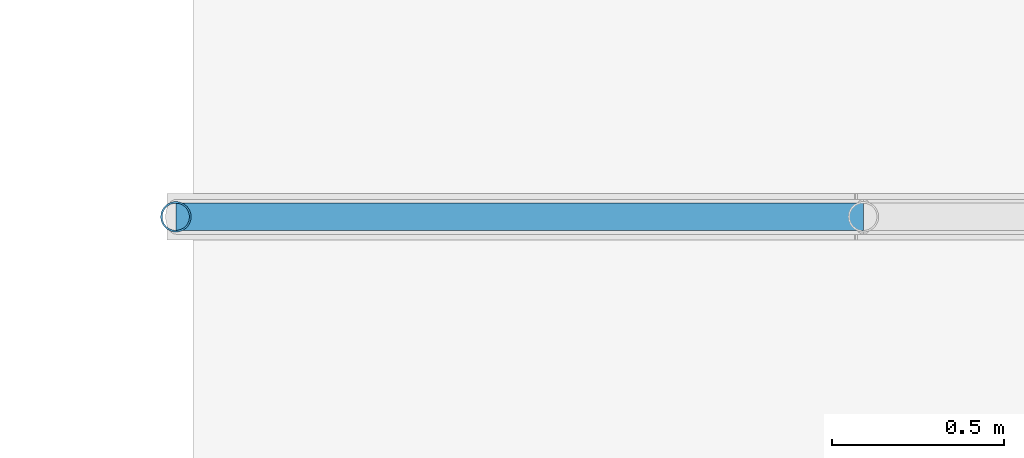
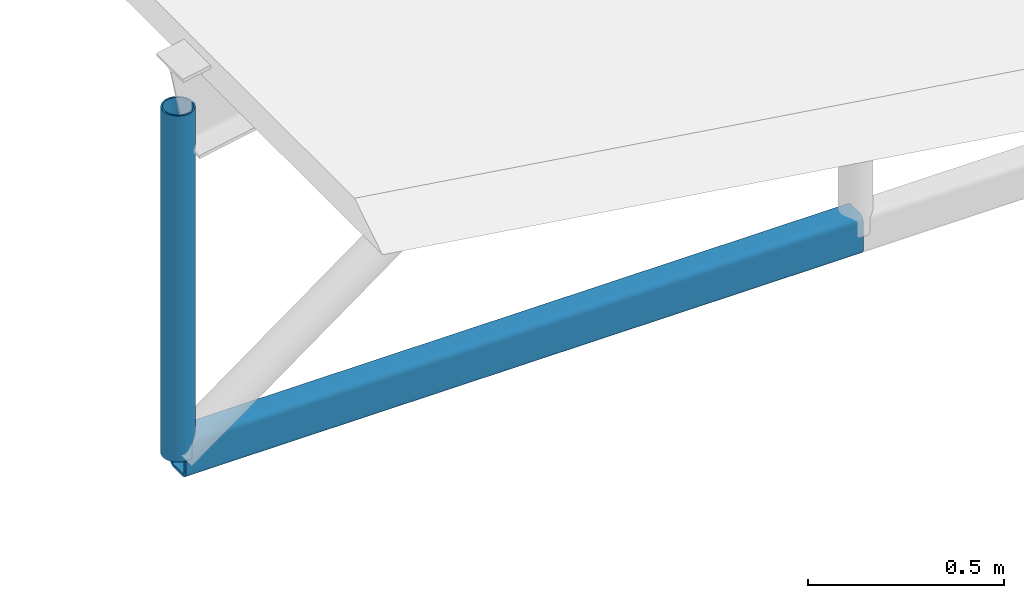
# One storey, part 19 of 54: 2 members.
"""IFC4 building model written with IfcOpenShell, lengths in metres."""

from ifc_helpers import new_model, si_unit, derived_unit, direction, frame, origin, origin_2d, place, context, subcontext, project, spatial, hollow_rectangle, hollow_circle, extrude, material, material_profile, profile_set, type_object, element, save


model = new_model("IFC4")

# Units and contexts
model_context = context("Model", 3, precision=1e-05, world=origin(), true_north=direction((0.0, 1.0)))
body_context = subcontext(model_context, "Body", "Model", "MODEL_VIEW")
ifc_project = project(units=[si_unit("LENGTHUNIT", "METRE"), si_unit("AREAUNIT", "SQUARE_METRE"), si_unit("VOLUMEUNIT", "CUBIC_METRE"), si_unit("PLANEANGLEUNIT", "RADIAN"), si_unit("MASSUNIT", "GRAM", prefix="KILO"), derived_unit("THERMALTRANSMITTANCEUNIT", [(si_unit("POWERUNIT", "WATT"), 1), (si_unit("LENGTHUNIT", "METRE"), -2), (si_unit("THERMODYNAMICTEMPERATUREUNIT", "KELVIN"), -1)])], contexts=[model_context])

# Site, building, storey
site_placement = place(None, origin())
site = spatial("IfcSite", under=ifc_project, at=site_placement, CompositionType="ELEMENT")
building_placement = place(site_placement, origin())
building = spatial("IfcBuilding", under=site, at=building_placement, Name="Keldorne Ridge Multi-Sports Centre", CompositionType="ELEMENT")
storey_placement = place(building_placement, frame((0.0, 0.0, 22.199951171875)))
storey = spatial("IfcBuildingStorey", under=building, at=storey_placement, Name="ROOF", CompositionType="ELEMENT", Elevation=22.199951171875)

# Members
ifc_material = material(Name="Steel S355", Category="steel")
ifc_material_profile_1 = material_profile(ifc_material, hollow_rectangle(XDim=0.080078125, YDim=0.1201171875, WallThickness=0.008056640625, InnerFilletRadius=0.008056640625, OuterFilletRadius=0.01611328125, at=origin_2d()), Name="RHS 120x80x8")
ifc_profile_set_1 = profile_set([ifc_material_profile_1], Name="Steel S355")
member_type_1 = type_object("IfcMemberType", Name="MEM-TC-07", PredefinedType="CHORD", material=ifc_profile_set_1)
member_1_placement = place(storey_placement, frame((84.0, 38.0, -13.719970703125), z_axis=(1.0, 0.0, 0.0), x_axis=(0.0, 1.0, 0.0)))
element("IfcMember", 1, at=member_1_placement, inside=storey, type_object=member_type_1, Name="Public Passage bowstring tie chord 05.1", PredefinedType="CHORD", context=body_context, shape_type="SweptSolid", body=[
    extrude(hollow_rectangle(XDim=0.080078125, YDim=0.1201171875, WallThickness=0.008056640625, InnerFilletRadius=0.008056640625, OuterFilletRadius=0.01611328125, at=origin_2d()), origin(), (0.0, 0.0, 1.0), 2.0),
])
ifc_material_profile_2 = material_profile(ifc_material, hollow_circle(Radius=0.04443359375, WallThickness=0.0048828125, at=origin_2d()), Name="CHS 88.9x5")
ifc_profile_set_2 = profile_set([ifc_material_profile_2], Name="Steel S355")
member_type_2 = type_object("IfcMemberType", Name="MEM-TV-07", PredefinedType="STRUT", material=ifc_profile_set_2)
member_2_placement = place(storey_placement, frame((84.0, 38.0, -13.719970703125), z_axis=(0.0, 0.0, 1.0), x_axis=(1.0, 0.0, 0.0)))
element("IfcMember", 2, at=member_2_placement, inside=storey, type_object=member_type_2, Name="Public Passage bowstring hanger 05.1", PredefinedType="STRUT", context=body_context, shape_type="SweptSolid", body=[
    extrude(hollow_circle(Radius=0.04443359375, WallThickness=0.0048828125, at=origin_2d()), origin(), (0.0, 0.0, 1.0), 1.080078125),
])

save(model, "model.ifc")
